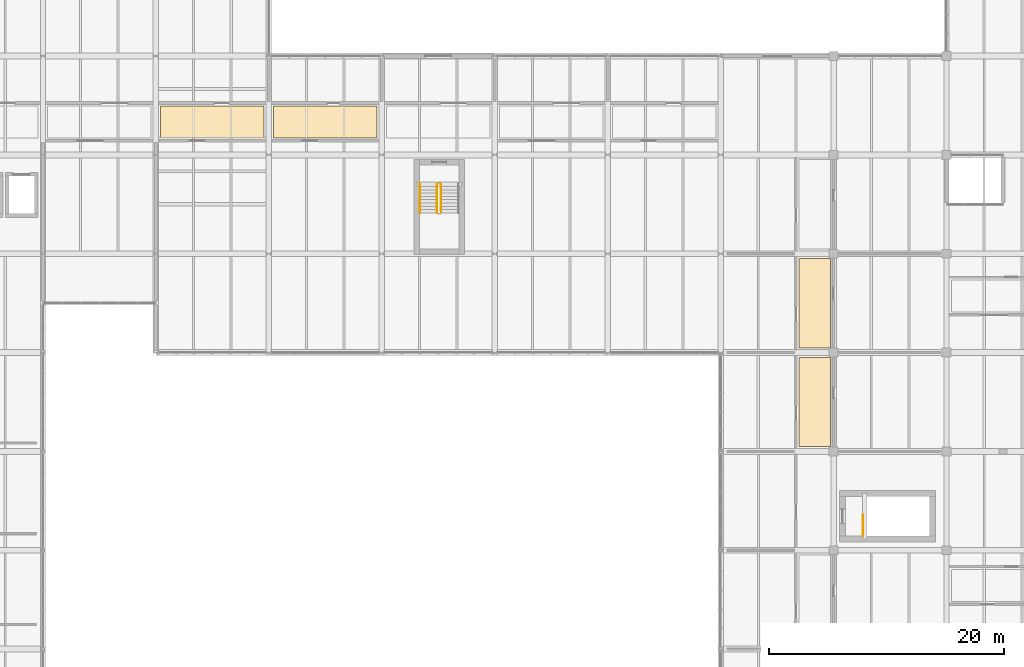
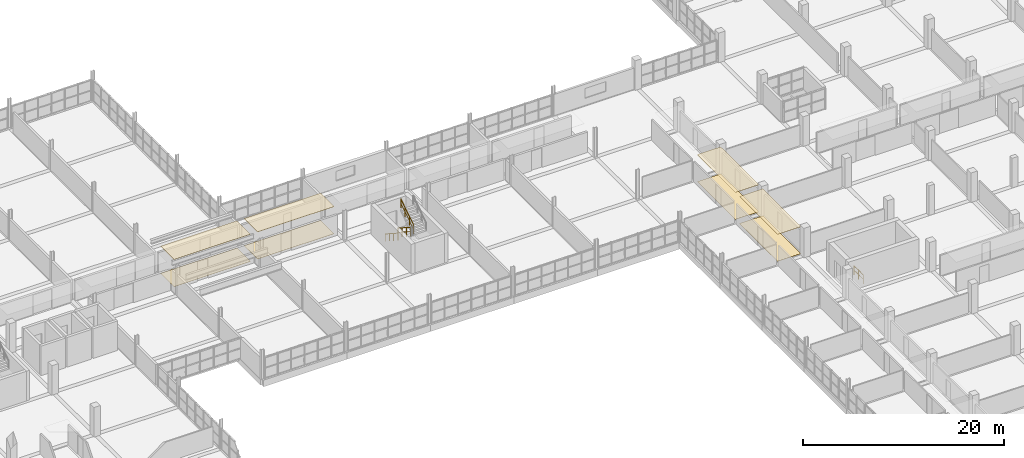
# One storey, part 139 of 147: 8 coverings, 4 railings.
"""IFC4 building model written with IfcOpenShell, lengths in metres."""

from ifc_helpers import new_model, si_unit, direction, frame, origin, origin_2d, place, context, subcontext, project, spatial, polyline, circle, outline, extrude, material, layer, layer_set, type_object, element, save


model = new_model("IFC4")

# Units and contexts
model_context = context("Model", 3, precision=1e-05, world=origin(), true_north=direction((0.0, 1.0)))
body_context = subcontext(model_context, "Body", "Model", "MODEL_VIEW")
ifc_project = project(units=[si_unit("LENGTHUNIT", "METRE"), si_unit("AREAUNIT", "SQUARE_METRE"), si_unit("VOLUMEUNIT", "CUBIC_METRE"), si_unit("PLANEANGLEUNIT", "RADIAN"), si_unit("MASSUNIT", "GRAM", prefix="KILO")], contexts=[model_context])

# Site, building, storey
site_placement = place(None, origin())
site = spatial("IfcSite", under=ifc_project, at=site_placement, CompositionType="ELEMENT")
building_placement = place(site_placement, origin())
building = spatial("IfcBuilding", under=site, at=building_placement, Name="Oolite Switchyard Hospital", CompositionType="ELEMENT")
storey_placement = place(building_placement, frame((0.0, 0.0, 9.89990234375)))
storey = spatial("IfcBuildingStorey", under=building, at=storey_placement, Name="L02", CompositionType="ELEMENT", Elevation=9.89990234375)

# Coverings
ifc_material_1 = material(Name="Hygienic washable mineral-fibre acoustic ceiling")
ifc_layer_1 = layer(ifc_material_1, 0.0400390625)
ifc_layer_set_1 = layer_set([ifc_layer_1], Name="COV-CEIL-AC60")
covering_type_1 = type_object("IfcCoveringType", Name="COV-CEIL-AC60", PredefinedType="CEILING", material=ifc_layer_set_1)
covering_1_placement = place(storey_placement, frame((0.0, 0.0, 3.28515625)))
element("IfcCovering", 1, at=covering_1_placement, inside=storey, type_object=covering_type_1, Name="L02 Interstitial Engineering and Pharmacy Corridor Ceiling 7", PredefinedType="CEILING", context=body_context, shape_type="SweptSolid", body=[
    extrude(outline(polyline([(67.60009765625, 102.25), (76.39990234375, 102.25), (76.39990234375, 104.949951171875), (67.60009765625, 104.949951171875), (67.60009765625, 102.25)])), origin(), (0.0, 0.0, 1.0), 0.0400390625),
])
covering_2_placement = place(storey_placement, frame((0.0, 0.0, 3.28515625)))
element("IfcCovering", 2, at=covering_2_placement, inside=storey, type_object=covering_type_1, Name="L02 Interstitial Engineering and Pharmacy Corridor Ceiling 8", PredefinedType="CEILING", context=body_context, shape_type="SweptSolid", body=[
    extrude(outline(polyline([(77.199951171875, 102.25), (86.0, 102.25), (86.0, 104.949951171875), (77.199951171875, 104.949951171875), (77.199951171875, 102.25)])), origin(), (0.0, 0.0, 1.0), 0.0400390625),
])
covering_3_placement = place(storey_placement, frame((0.0, 0.0, 3.27001953125)))
element("IfcCovering", 3, at=covering_3_placement, inside=storey, type_object=covering_type_1, Name="L02 Histopathology and Cytology Corridor L02 Ceiling 6", PredefinedType="CEILING", context=body_context, shape_type="SweptSolid", body=[
    extrude(outline(polyline([(121.85009765625, 76.0), (124.550048828125, 76.0), (124.550048828125, 83.60009765625), (121.85009765625, 83.60009765625), (121.85009765625, 76.0)])), origin(), (0.0, 0.0, 1.0), 0.0400390625),
])
covering_4_placement = place(storey_placement, frame((0.0, 0.0, 3.27001953125)))
element("IfcCovering", 4, at=covering_4_placement, inside=storey, type_object=covering_type_1, Name="L02 Histopathology and Cytology Corridor L02 Ceiling 7", PredefinedType="CEILING", context=body_context, shape_type="SweptSolid", body=[
    extrude(outline(polyline([(121.85009765625, 84.39990234375), (124.550048828125, 84.39990234375), (124.550048828125, 92.0), (121.85009765625, 92.0), (121.85009765625, 84.39990234375)])), origin(), (0.0, 0.0, 1.0), 0.0400390625),
])
ifc_material_2 = material(Name="Epoxy terrazzo seamless clinical flooring")
ifc_layer_2 = layer(ifc_material_2, 0.02001953125)
ifc_layer_set_2 = layer_set([ifc_layer_2], Name="COV-FLR-TER20")
covering_type_2 = type_object("IfcCoveringType", Name="COV-FLR-TER20", PredefinedType="FLOORING", material=ifc_layer_set_2)
covering_5_placement = place(storey_placement, origin())
element("IfcCovering", 5, at=covering_5_placement, inside=storey, type_object=covering_type_2, Name="L02 Interstitial Engineering and Pharmacy Corridor Flooring 7", PredefinedType="FLOORING", context=body_context, shape_type="SweptSolid", body=[
    extrude(outline(polyline([(67.60009765625, 102.25), (76.39990234375, 102.25), (76.39990234375, 104.949951171875), (67.60009765625, 104.949951171875), (67.60009765625, 102.25)])), origin(), (0.0, 0.0, 1.0), 0.02001953125),
])
covering_6_placement = place(storey_placement, origin())
element("IfcCovering", 6, at=covering_6_placement, inside=storey, type_object=covering_type_2, Name="L02 Interstitial Engineering and Pharmacy Corridor Flooring 8", PredefinedType="FLOORING", context=body_context, shape_type="SweptSolid", body=[
    extrude(outline(polyline([(77.199951171875, 102.25), (86.0, 102.25), (86.0, 104.949951171875), (77.199951171875, 104.949951171875), (77.199951171875, 102.25)])), origin(), (0.0, 0.0, 1.0), 0.02001953125),
])
covering_7_placement = place(storey_placement, origin())
element("IfcCovering", 7, at=covering_7_placement, inside=storey, type_object=covering_type_2, Name="L02 Histopathology and Cytology Corridor L02 Flooring 6", PredefinedType="FLOORING", context=body_context, shape_type="SweptSolid", body=[
    extrude(outline(polyline([(121.85009765625, 76.0), (124.550048828125, 76.0), (124.550048828125, 83.60009765625), (121.85009765625, 83.60009765625), (121.85009765625, 76.0)])), origin(), (0.0, 0.0, 1.0), 0.02001953125),
])
covering_8_placement = place(storey_placement, origin())
element("IfcCovering", 8, at=covering_8_placement, inside=storey, type_object=covering_type_2, Name="L02 Histopathology and Cytology Corridor L02 Flooring 7", PredefinedType="FLOORING", context=body_context, shape_type="SweptSolid", body=[
    extrude(outline(polyline([(121.85009765625, 84.39990234375), (124.550048828125, 84.39990234375), (124.550048828125, 92.0), (121.85009765625, 92.0), (121.85009765625, 84.39990234375)])), origin(), (0.0, 0.0, 1.0), 0.02001953125),
])

# Railings
ifc_material_3 = material(Name="Galvanized painted architectural steel handrail", Category="steel")
railing_type_1 = type_object("IfcRailingType", Name="RL-STAIR-GRD", PredefinedType="GUARDRAIL", material=ifc_material_3)
railing_1_placement = place(storey_placement, frame((91.110107421875, 98.389892578125, 0.18017578125)))
element("IfcRailing", 9, at=railing_1_placement, inside=storey, type_object=railing_type_1, Name="L02 ST-09 stair guard 1", PredefinedType="GUARDRAIL", context=body_context, shape_type="SweptSolid", body=[
    extrude(circle(Radius=0.02392578125, at=origin_2d()), frame((0.0, 0.0, 1.076171875), z_axis=(0.0, -0.841175827307, 0.540761710511), x_axis=(1.0, 0.0, 0.0)), (0.0, 0.0, 1.0), 2.99560546875),
    extrude(circle(Radius=0.015625, at=origin_2d()), frame((0.0, 0.0, 0.550048828125), z_axis=(0.0, -0.841175827307, 0.540761710511), x_axis=(1.0, 0.0, 0.0)), (0.0, 0.0, 1.0), 2.99560546875),
    extrude(circle(Radius=0.02099609375, at=origin_2d()), origin(), (0.0, 0.0, 1.0), 1.052001953125),
    extrude(circle(Radius=0.02099609375, at=origin_2d()), frame((0.0, -0.83984375, 0.5400390625)), (0.0, 0.0, 1.0), 1.052001953125),
    extrude(circle(Radius=0.02099609375, at=origin_2d()), frame((0.0, -1.679931640625, 1.079833984375)), (0.0, 0.0, 1.0), 1.052001953125),
    extrude(circle(Radius=0.02099609375, at=origin_2d()), frame((0.0, -2.519775390625, 1.619873046875)), (0.0, 0.0, 1.0), 1.052001953125),
])
railing_2_placement = place(storey_placement, frame((91.449951171875, 95.8701171875, 1.97998046875)))
element("IfcRailing", 10, at=railing_2_placement, inside=storey, type_object=railing_type_1, Name="L02 ST-09 stair guard 3", PredefinedType="GUARDRAIL", context=body_context, shape_type="SweptSolid", body=[
    extrude(circle(Radius=0.02392578125, at=origin_2d()), frame((0.0, 0.0, 1.076171875), z_axis=(0.0, 0.841138753965, 0.540819375188), x_axis=(-1.0, 0.0, 0.0)), (0.0, 0.0, 1.0), 2.99560546875),
    extrude(circle(Radius=0.015625, at=origin_2d()), frame((0.0, 0.0, 0.550048828125), z_axis=(0.0, 0.841138753965, 0.540819375188), x_axis=(-1.0, 0.0, 0.0)), (0.0, 0.0, 1.0), 2.99560546875),
    extrude(circle(Radius=0.02099609375, at=origin_2d()), origin(), (0.0, 0.0, 1.0), 1.052001953125),
    extrude(circle(Radius=0.02099609375, at=origin_2d()), frame((0.0, 0.83984375, 0.5400390625)), (0.0, 0.0, 1.0), 1.052001953125),
    extrude(circle(Radius=0.02099609375, at=origin_2d()), frame((0.0, 1.679931640625, 1.080078125)), (0.0, 0.0, 1.0), 1.052001953125),
    extrude(circle(Radius=0.02099609375, at=origin_2d()), frame((0.0, 2.519775390625, 1.6201171875)), (0.0, 0.0, 1.0), 1.052001953125),
])
railing_3_placement = place(storey_placement, frame((127.31005859375, 68.39990234375, 0.0)))
element("IfcRailing", 11, at=railing_3_placement, inside=storey, type_object=railing_type_1, Name="L02 ST-10 top well guard 1", PredefinedType="GUARDRAIL", context=body_context, shape_type="SweptSolid", body=[
    extrude(circle(Radius=0.02392578125, at=origin_2d()), frame((0.0, 0.0, 1.076171875), z_axis=(0.0, 1.0, 0.0), x_axis=(-1.0, 0.0, 0.0)), (0.0, 0.0, 1.0), 1.800048828125),
    extrude(circle(Radius=0.015625, at=origin_2d()), frame((0.0, 0.0, 0.550048828125), z_axis=(0.0, 1.0, 0.0), x_axis=(-1.0, 0.0, 0.0)), (0.0, 0.0, 1.0), 1.800048828125),
    extrude(circle(Radius=0.02099609375, at=origin_2d()), origin(), (0.0, 0.0, 1.0), 1.052001953125),
    extrude(circle(Radius=0.02099609375, at=origin_2d()), frame((0.0, 0.89990234375, 0.0)), (0.0, 0.0, 1.0), 1.052001953125),
    extrude(circle(Radius=0.02099609375, at=origin_2d()), frame((0.0, 1.800048828125, 0.0)), (0.0, 0.0, 1.0), 1.052001953125),
])
railing_type_2 = type_object("IfcRailingType", Name="RL-STAIR-HND", PredefinedType="HANDRAIL", material=ifc_material_3)
railing_4_placement = place(storey_placement, frame((89.64990234375, 98.389892578125, 0.18017578125)))
element("IfcRailing", 12, at=railing_4_placement, inside=storey, type_object=railing_type_2, Name="L02 ST-09 stair handrail 1", PredefinedType="HANDRAIL", context=body_context, shape_type="SweptSolid", body=[
    extrude(circle(Radius=0.02392578125, at=origin_2d()), frame((0.0, 0.0, 0.8759765625), z_axis=(0.0, -0.841175827307, 0.540761710511), x_axis=(1.0, 0.0, 0.0)), (0.0, 0.0, 1.0), 2.99560546875),
    extrude(circle(Radius=0.02099609375, at=origin_2d()), origin(), (0.0, 0.0, 1.0), 0.851806640625),
    extrude(circle(Radius=0.02099609375, at=origin_2d()), frame((0.0, -0.83984375, 0.5400390625)), (0.0, 0.0, 1.0), 0.851806640625),
    extrude(circle(Radius=0.02099609375, at=origin_2d()), frame((0.0, -1.679931640625, 1.079833984375)), (0.0, 0.0, 1.0), 0.851806640625),
    extrude(circle(Radius=0.02099609375, at=origin_2d()), frame((0.0, -2.519775390625, 1.619873046875)), (0.0, 0.0, 1.0), 0.851806640625),
])

save(model, "model.ifc")
